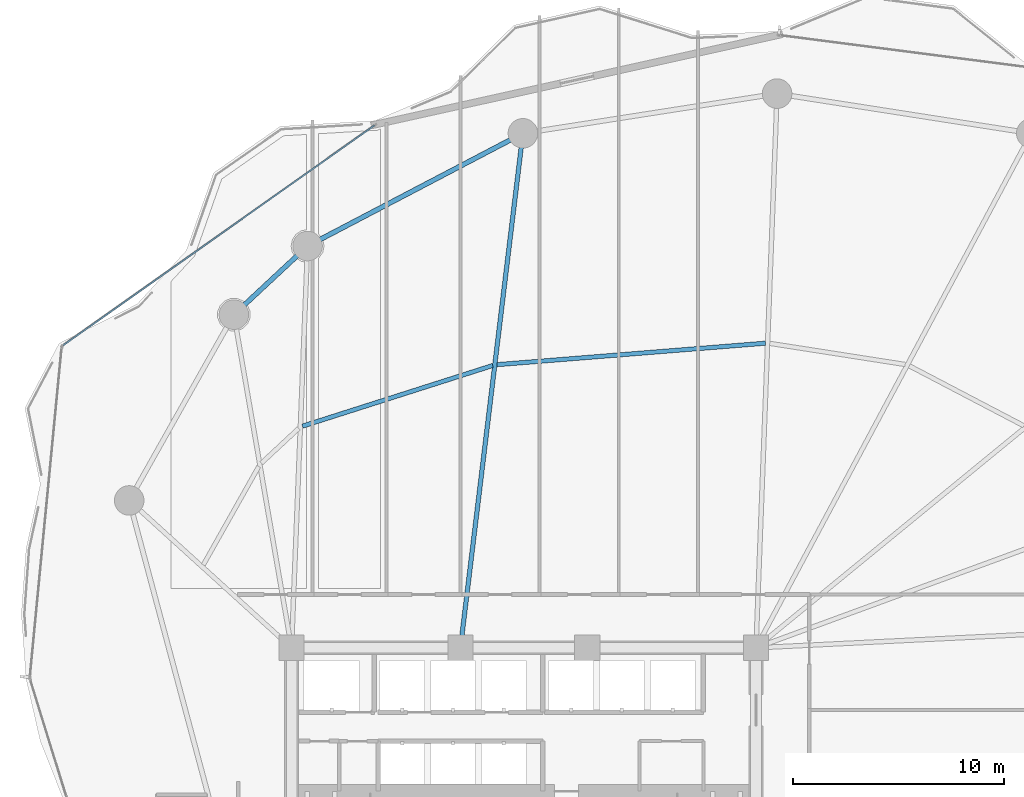
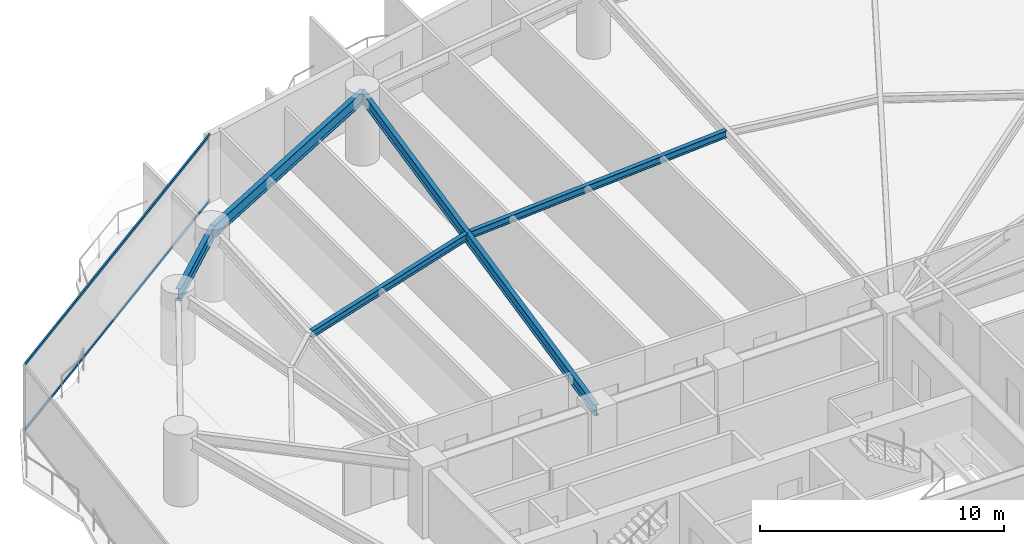
# One storey, part 16 of 31: 5 beams, 2 members, 1 element without a shape of its own.
"""IFC4 building model written with IfcOpenShell, lengths in metres."""

from ifc_helpers import new_model, si_unit, direction, frame, origin, origin_2d, place, context, subcontext, project, spatial, hollow_rectangle, i_section, extrude, material, layer, layer_set, material_profile, profile_set, type_object, element, aggregate, save


model = new_model("IFC4")

# Units and contexts
model_context = context("Model", 3, precision=1e-05, world=origin(), true_north=direction((0.0, 1.0)))
body_context = subcontext(model_context, "Body", "Model", "MODEL_VIEW")
ifc_project = project(units=[si_unit("LENGTHUNIT", "METRE"), si_unit("AREAUNIT", "SQUARE_METRE"), si_unit("VOLUMEUNIT", "CUBIC_METRE"), si_unit("PLANEANGLEUNIT", "RADIAN"), si_unit("MASSUNIT", "GRAM", prefix="KILO")], contexts=[model_context])

# Site, building, storey
site_placement = place(None, origin())
site = spatial("IfcSite", under=ifc_project, at=site_placement, CompositionType="ELEMENT")
building_placement = place(site_placement, origin())
building = spatial("IfcBuilding", under=site, at=building_placement, Name="Kazevale Care Tower and Concert Hall", CompositionType="ELEMENT")
storey_placement = place(building_placement, frame((0.0, 0.0, 56.39990234375)))
storey = spatial("IfcBuildingStorey", under=building, at=storey_placement, Name="L14", CompositionType="ELEMENT", Elevation=56.39990234375)

# Curtain wall, members
ifc_material_1 = material(Name="Aluminium 6063-T6 and Low-E Glass", Category="aluminium")
ifc_layer = layer(ifc_material_1, 0.179931640625)
ifc_layer_set = layer_set([ifc_layer], Name="Aluminium 6063-T6 and Low-E Glass")
curtain_wall_type = type_object("IfcCurtainWallType", Name="Convex Recessed Sunroom Curtain Wall CW-3", PredefinedType="NOTDEFINED", material=ifc_layer_set)
curtain_wall_placement = place(storey_placement, origin())
curtain_wall = element("IfcCurtainWall", 1, at=curtain_wall_placement, inside=storey, type_object=curtain_wall_type, Name="cw:L14:f14", PredefinedType="NOTDEFINED")
ifc_material_2 = material(Name="Aluminium 6063-T6", Category="aluminium")
ifc_material_profile_1 = material_profile(ifc_material_2, hollow_rectangle(XDim=0.074951171875, YDim=0.1201171875, WallThickness=0.00390625, at=origin_2d()), Name="ALU75x120x4")
ifc_profile_set_1 = profile_set([ifc_material_profile_1], Name="Aluminium 6063-T6")
member_type = type_object("IfcMemberType", Name="CW-3 Transom ALU75x120x4", PredefinedType="USERDEFINED", material=ifc_profile_set_1)
member_1_placement = place(storey_placement, frame((11.182373046875, 50.729248046875, 0.03759765625), z_axis=(0.816794743967, 0.576928371835, 0.0), x_axis=(-0.576928371835, 0.816794743967, 0.0)))
member_1 = element("IfcMember", 2, at=member_1_placement, type_object=member_type, Name="CW-3 transom 1.1", ObjectType="TRANSOM", PredefinedType="USERDEFINED", context=body_context, shape_type="SweptSolid", body=[
    extrude(hollow_rectangle(XDim=0.074951171875, YDim=0.1201171875, WallThickness=0.00390625, at=origin_2d()), origin(), (0.0, 0.0, 1.0), 18.060302734375),
])
member_2_placement = place(storey_placement, frame((11.182373046875, 50.729248046875, 3.322509765625), z_axis=(0.816794743967, 0.576928371835, 0.0), x_axis=(-0.576928371835, 0.816794743967, 0.0)))
member_2 = element("IfcMember", 3, at=member_2_placement, type_object=member_type, Name="CW-3 transom 1.2", ObjectType="TRANSOM", PredefinedType="USERDEFINED", context=body_context, shape_type="SweptSolid", body=[
    extrude(hollow_rectangle(XDim=0.074951171875, YDim=0.1201171875, WallThickness=0.00390625, at=origin_2d()), origin(), (0.0, 0.0, 1.0), 18.060302734375),
])
aggregate(curtain_wall, [member_1, member_2])

# Beams
ifc_material_3 = material(Name="Steel ASTM A572 Gr 50", Category="steel")
ifc_material_profile_2 = material_profile(ifc_material_3, i_section(OverallWidth=0.2119140625, OverallDepth=0.5439453125, WebThickness=0.01318359375, FlangeThickness=0.021240234375, at=origin_2d()), Name="W530x123")
ifc_profile_set_2 = profile_set([ifc_material_profile_2], Name="Steel ASTM A572 Gr 50")
beam_type_1 = type_object("IfcBeamType", Name="Radial Floor Girder W530x123", PredefinedType="BEAM", material=ifc_profile_set_2)
beam_1_placement = place(storey_placement, frame((30.0, 36.39990234375, 3.088134765625), z_axis=(0.120572526662, 0.9927045209, 0.0), x_axis=(-0.9927045209, 0.120572526662, 0.0)))
element("IfcBeam", 4, at=beam_1_placement, inside=storey, type_object=beam_type_1, Name="beam:L14:rad:06", PredefinedType="BEAM", context=body_context, shape_type="SweptSolid", body=[
    extrude(i_section(OverallWidth=0.2119140625, OverallDepth=0.5439453125, WebThickness=0.01318359375, FlangeThickness=0.021240234375, at=origin_2d()), origin(), (0.0, 0.0, 1.0), 24.54931640625),
])
ifc_material_profile_3 = material_profile(ifc_material_3, i_section(OverallWidth=0.22900390625, OverallDepth=0.612060546875, WebThickness=0.011962890625, FlangeThickness=0.01953125, at=origin_2d()), Name="W610x125")
ifc_profile_set_3 = profile_set([ifc_material_profile_3], Name="Steel ASTM A572 Gr 50")
beam_type_2 = type_object("IfcBeamType", Name="Ring Spandrel Beam W610x125", PredefinedType="SPANDREL", material=ifc_profile_set_3)
beam_2_placement = place(storey_placement, frame((32.9599609375, 60.77001953125, 3.05419921875), z_axis=(-0.885929466679, -0.463819986708, 0.0), x_axis=(0.463819986708, -0.885929466679, 0.0)))
element("IfcBeam", 5, at=beam_2_placement, inside=storey, type_object=beam_type_2, Name="beam:L14:ring:06", PredefinedType="SPANDREL", context=body_context, shape_type="SweptSolid", body=[
    extrude(i_section(OverallWidth=0.22900390625, OverallDepth=0.612060546875, WebThickness=0.011962890625, FlangeThickness=0.01953125, at=origin_2d()), origin(), (0.0, 0.0, 1.0), 11.51318359375),
])
beam_3_placement = place(storey_placement, frame((22.760009765625, 55.429931640625, 3.05419921875), z_axis=(-0.731820896228, -0.681497010884, 0.0), x_axis=(0.681497010884, -0.731820896228, 0.0)))
element("IfcBeam", 6, at=beam_3_placement, inside=storey, type_object=beam_type_2, Name="beam:L14:ring:07", PredefinedType="SPANDREL", context=body_context, shape_type="SweptSolid", body=[
    extrude(i_section(OverallWidth=0.22900390625, OverallDepth=0.612060546875, WebThickness=0.011962890625, FlangeThickness=0.01953125, at=origin_2d()), origin(), (0.0, 0.0, 1.0), 4.768798828125),
])
ifc_material_profile_4 = material_profile(ifc_material_3, i_section(OverallWidth=0.205078125, OverallDepth=0.35400390625, WebThickness=0.009521484375, FlangeThickness=0.016845703125, at=origin_2d()), Name="W360x79")
ifc_profile_set_4 = profile_set([ifc_material_profile_4], Name="Steel ASTM A572 Gr 50")
beam_type_3 = type_object("IfcBeamType", Name="Secondary Floor Joist W360x79", PredefinedType="JOIST", material=ifc_profile_set_4)
beam_4_placement = place(storey_placement, frame((44.445068359375, 50.8291015625, 3.18310546875), z_axis=(-0.996814548036, -0.079754353015, 0.0), x_axis=(0.079754353015, -0.996814548036, 0.0)))
element("IfcBeam", 7, at=beam_4_placement, inside=storey, type_object=beam_type_3, Name="beam:L14:joist:05", PredefinedType="JOIST", context=body_context, shape_type="SweptSolid", body=[
    extrude(i_section(OverallWidth=0.205078125, OverallDepth=0.35400390625, WebThickness=0.009521484375, FlangeThickness=0.016845703125, at=origin_2d()), origin(), (0.0, 0.0, 1.0), 12.752685546875),
])
beam_5_placement = place(storey_placement, frame((31.528076171875, 49.77197265625, 3.18310546875), z_axis=(-0.9527054955, -0.303895111584, 0.0), x_axis=(0.303895111584, -0.9527054955, 0.0)))
element("IfcBeam", 8, at=beam_5_placement, inside=storey, type_object=beam_type_3, Name="beam:L14:joist:06", PredefinedType="JOIST", context=body_context, shape_type="SweptSolid", body=[
    extrude(i_section(OverallWidth=0.205078125, OverallDepth=0.35400390625, WebThickness=0.009521484375, FlangeThickness=0.016845703125, at=origin_2d()), origin(), (0.0, 0.0, 1.0), 9.457275390625),
])

save(model, "model.ifc")
